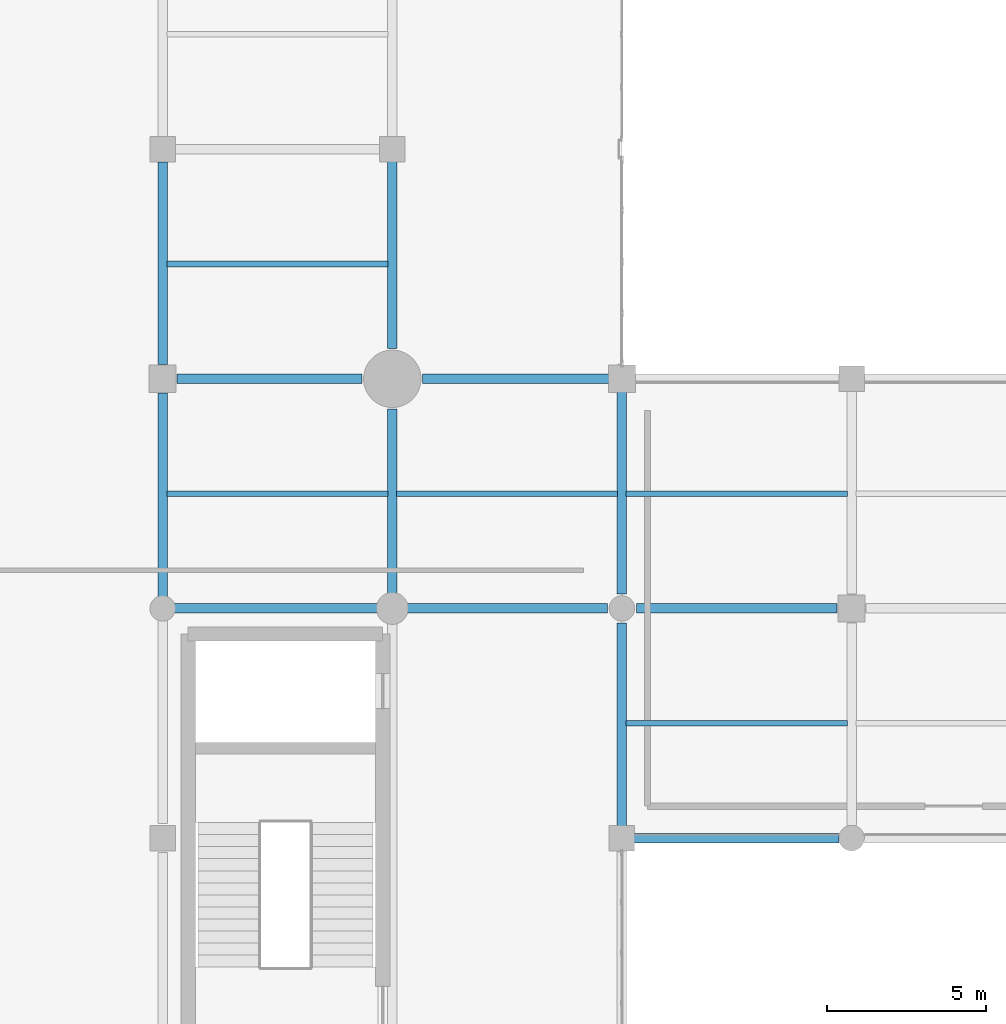
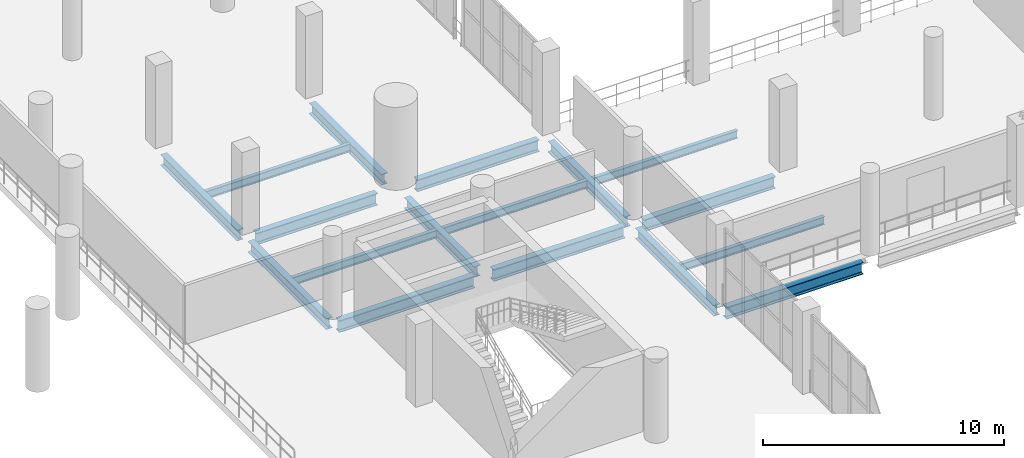
# One storey, part 39 of 153: 17 beams.
"""IFC4 building model written with IfcOpenShell, lengths in metres."""

from ifc_helpers import new_model, si_unit, direction, frame, origin, origin_2d, place, context, subcontext, project, spatial, i_section, extrude, material, material_profile, profile_set, type_object, element, save


model = new_model("IFC4")

# Units and contexts
model_context = context("Model", 3, precision=1e-05, world=origin(), true_north=direction((0.0, 1.0)))
body_context = subcontext(model_context, "Body", "Model", "MODEL_VIEW")
ifc_project = project(units=[si_unit("LENGTHUNIT", "METRE"), si_unit("AREAUNIT", "SQUARE_METRE"), si_unit("VOLUMEUNIT", "CUBIC_METRE"), si_unit("PLANEANGLEUNIT", "RADIAN"), si_unit("MASSUNIT", "GRAM", prefix="KILO")], contexts=[model_context])

# Site, building, storey
site_placement = place(None, origin())
site = spatial("IfcSite", under=ifc_project, at=site_placement, CompositionType="ELEMENT")
building_placement = place(site_placement, origin())
building = spatial("IfcBuilding", under=site, at=building_placement, Name="Qandorah Velis Arena", CompositionType="ELEMENT")
storey_placement = place(building_placement, frame((0.0, 0.0, 5.39990234375)))
storey = spatial("IfcBuildingStorey", under=building, at=storey_placement, Name="L01", CompositionType="ELEMENT", Elevation=5.39990234375)

# Beams
ifc_material = material(Name="Steel S355", Category="steel")
ifc_material_profile_1 = material_profile(ifc_material, i_section(OverallWidth=0.300048828125, OverallDepth=0.550048828125, WebThickness=0.014892578125, FlangeThickness=0.029052734375, FilletRadius=0.027099609375, at=origin_2d()), Name="HEB 550")
ifc_profile_set_1 = profile_set([ifc_material_profile_1], Name="Steel S355")
beam_type_1 = type_object("IfcBeamType", Name="STR-BM-HEB550", PredefinedType="BEAM", material=ifc_profile_set_1)
beam_1_placement = place(storey_placement, frame((108.0, 50.64990234375, -0.635009765625), z_axis=(0.0, 1.0, 0.0), x_axis=(-1.0, 0.0, 0.0)))
element("IfcBeam", 1, at=beam_1_placement, inside=storey, type_object=beam_type_1, Name="Primary floor girder L01 Y-366", PredefinedType="BEAM", context=body_context, shape_type="SweptSolid", body=[
    extrude(i_section(OverallWidth=0.300048828125, OverallDepth=0.550048828125, WebThickness=0.014892578125, FlangeThickness=0.029052734375, FilletRadius=0.027099609375, at=origin_2d()), origin(), (0.0, 0.0, 1.0), 6.5),
])
beam_2_placement = place(storey_placement, frame((108.0, 58.050048828125, -0.635009765625), z_axis=(0.0, 1.0, 0.0), x_axis=(-1.0, 0.0, 0.0)))
element("IfcBeam", 2, at=beam_2_placement, inside=storey, type_object=beam_type_1, Name="Primary floor girder L01 Y-367", PredefinedType="BEAM", context=body_context, shape_type="SweptSolid", body=[
    extrude(i_section(OverallWidth=0.300048828125, OverallDepth=0.550048828125, WebThickness=0.014892578125, FlangeThickness=0.029052734375, FilletRadius=0.027099609375, at=origin_2d()), origin(), (0.0, 0.0, 1.0), 6.349853515625),
])
beam_3_placement = place(storey_placement, frame((115.199951171875, 50.85009765625, -0.635009765625), z_axis=(0.0, 1.0, 0.0), x_axis=(-1.0, 0.0, 0.0)))
element("IfcBeam", 3, at=beam_3_placement, inside=storey, type_object=beam_type_1, Name="Primary floor girder L01 Y-383", PredefinedType="BEAM", context=body_context, shape_type="SweptSolid", body=[
    extrude(i_section(OverallWidth=0.300048828125, OverallDepth=0.550048828125, WebThickness=0.014892578125, FlangeThickness=0.029052734375, FilletRadius=0.027099609375, at=origin_2d()), origin(), (0.0, 0.0, 1.0), 5.7998046875),
])
beam_4_placement = place(storey_placement, frame((115.199951171875, 58.550048828125, -0.635009765625), z_axis=(0.0, 1.0, 0.0), x_axis=(-1.0, 0.0, 0.0)))
element("IfcBeam", 4, at=beam_4_placement, inside=storey, type_object=beam_type_1, Name="Primary floor girder L01 Y-384", PredefinedType="BEAM", context=body_context, shape_type="SweptSolid", body=[
    extrude(i_section(OverallWidth=0.300048828125, OverallDepth=0.550048828125, WebThickness=0.014892578125, FlangeThickness=0.029052734375, FilletRadius=0.027099609375, at=origin_2d()), origin(), (0.0, 0.0, 1.0), 6.0),
])
beam_5_placement = place(storey_placement, frame((122.39990234375, 43.449951171875, -0.635009765625), z_axis=(0.0, 1.0, 0.0), x_axis=(-1.0, 0.0, 0.0)))
element("IfcBeam", 5, at=beam_5_placement, inside=storey, type_object=beam_type_1, Name="Primary floor girder L01 Y-396", PredefinedType="BEAM", context=body_context, shape_type="SweptSolid", body=[
    extrude(i_section(OverallWidth=0.300048828125, OverallDepth=0.550048828125, WebThickness=0.014892578125, FlangeThickness=0.029052734375, FilletRadius=0.027099609375, at=origin_2d()), origin(), (0.0, 0.0, 1.0), 6.5),
])
beam_6_placement = place(storey_placement, frame((122.39990234375, 50.85009765625, -0.635009765625), z_axis=(0.0, 1.0, 0.0), x_axis=(-1.0, 0.0, 0.0)))
element("IfcBeam", 6, at=beam_6_placement, inside=storey, type_object=beam_type_1, Name="Primary floor girder L01 Y-397", PredefinedType="BEAM", context=body_context, shape_type="SweptSolid", body=[
    extrude(i_section(OverallWidth=0.300048828125, OverallDepth=0.550048828125, WebThickness=0.014892578125, FlangeThickness=0.029052734375, FilletRadius=0.027099609375, at=origin_2d()), origin(), (0.0, 0.0, 1.0), 6.349853515625),
])
ifc_material_profile_2 = material_profile(ifc_material, i_section(OverallWidth=0.300048828125, OverallDepth=0.60009765625, WebThickness=0.015380859375, FlangeThickness=0.030029296875, FilletRadius=0.027099609375, at=origin_2d()), Name="HEB 600")
ifc_profile_set_2 = profile_set([ifc_material_profile_2], Name="Steel S355")
beam_type_2 = type_object("IfcBeamType", Name="STR-BM-HEB600", PredefinedType="BEAM", material=ifc_profile_set_2)
beam_7_placement = place(storey_placement, frame((122.64990234375, 43.199951171875, -0.659912109375), z_axis=(1.0, 0.0, 0.0), x_axis=(0.0, 1.0, 0.0)))
element("IfcBeam", 7, at=beam_7_placement, inside=storey, type_object=beam_type_2, Name="Primary floor girder L01 X-081", PredefinedType="BEAM", context=body_context, shape_type="SweptSolid", body=[
    extrude(i_section(OverallWidth=0.300048828125, OverallDepth=0.60009765625, WebThickness=0.015380859375, FlangeThickness=0.030029296875, FilletRadius=0.027099609375, at=origin_2d()), origin(), (0.0, 0.0, 1.0), 6.550048828125),
])
beam_8_placement = place(storey_placement, frame((108.25, 50.39990234375, -0.659912109375), z_axis=(1.0, 0.0, 0.0), x_axis=(0.0, 1.0, 0.0)))
element("IfcBeam", 8, at=beam_8_placement, inside=storey, type_object=beam_type_2, Name="Primary floor girder L01 X-091", PredefinedType="BEAM", context=body_context, shape_type="SweptSolid", body=[
    extrude(i_section(OverallWidth=0.300048828125, OverallDepth=0.60009765625, WebThickness=0.015380859375, FlangeThickness=0.030029296875, FilletRadius=0.027099609375, at=origin_2d()), origin(), (0.0, 0.0, 1.0), 6.5),
])
beam_9_placement = place(storey_placement, frame((115.64990234375, 50.39990234375, -0.659912109375), z_axis=(1.0, 0.0, 0.0), x_axis=(0.0, 1.0, 0.0)))
element("IfcBeam", 9, at=beam_9_placement, inside=storey, type_object=beam_type_2, Name="Primary floor girder L01 X-092", PredefinedType="BEAM", context=body_context, shape_type="SweptSolid", body=[
    extrude(i_section(OverallWidth=0.300048828125, OverallDepth=0.60009765625, WebThickness=0.015380859375, FlangeThickness=0.030029296875, FilletRadius=0.027099609375, at=origin_2d()), origin(), (0.0, 0.0, 1.0), 6.300048828125),
])
beam_10_placement = place(storey_placement, frame((122.85009765625, 50.39990234375, -0.659912109375), z_axis=(1.0, 0.0, 0.0), x_axis=(0.0, 1.0, 0.0)))
element("IfcBeam", 10, at=beam_10_placement, inside=storey, type_object=beam_type_2, Name="Primary floor girder L01 X-093", PredefinedType="BEAM", context=body_context, shape_type="SweptSolid", body=[
    extrude(i_section(OverallWidth=0.300048828125, OverallDepth=0.60009765625, WebThickness=0.015380859375, FlangeThickness=0.030029296875, FilletRadius=0.027099609375, at=origin_2d()), origin(), (0.0, 0.0, 1.0), 6.2998046875),
])
beam_11_placement = place(storey_placement, frame((108.449951171875, 57.60009765625, -0.659912109375), z_axis=(1.0, 0.0, 0.0), x_axis=(0.0, 1.0, 0.0)))
element("IfcBeam", 11, at=beam_11_placement, inside=storey, type_object=beam_type_2, Name="Primary floor girder L01 X-100", PredefinedType="BEAM", context=body_context, shape_type="SweptSolid", body=[
    extrude(i_section(OverallWidth=0.300048828125, OverallDepth=0.60009765625, WebThickness=0.015380859375, FlangeThickness=0.030029296875, FilletRadius=0.027099609375, at=origin_2d()), origin(), (0.0, 0.0, 1.0), 5.800048828125),
])
beam_12_placement = place(storey_placement, frame((116.14990234375, 57.60009765625, -0.659912109375), z_axis=(1.0, 0.0, 0.0), x_axis=(0.0, 1.0, 0.0)))
element("IfcBeam", 12, at=beam_12_placement, inside=storey, type_object=beam_type_2, Name="Primary floor girder L01 X-101", PredefinedType="BEAM", context=body_context, shape_type="SweptSolid", body=[
    extrude(i_section(OverallWidth=0.300048828125, OverallDepth=0.60009765625, WebThickness=0.015380859375, FlangeThickness=0.030029296875, FilletRadius=0.027099609375, at=origin_2d()), origin(), (0.0, 0.0, 1.0), 5.85009765625),
])
ifc_material_profile_3 = material_profile(ifc_material, i_section(OverallWidth=0.179931640625, OverallDepth=0.39990234375, WebThickness=0.008544921875, FlangeThickness=0.013427734375, FilletRadius=0.02099609375, at=origin_2d()), Name="IPE 400")
ifc_profile_set_3 = profile_set([ifc_material_profile_3], Name="Steel S355")
beam_type_3 = type_object("IfcBeamType", Name="STR-JST-IPE400", PredefinedType="JOIST", material=ifc_profile_set_3)
for number, where, z_axis, x_axis, name in (
    (13, (108.135009765625, 54.0, -0.559814453125), (1.0, 0.0, 0.0), (0.0, 1.0, 0.0), "Secondary floor joist L01-122"),
    (14, (108.135009765625, 61.199951171875, -0.559814453125), (1.0, 0.0, 0.0), (0.0, 1.0, 0.0), "Secondary floor joist L01-123"),
    (15, (115.3349609375, 54.0, -0.559814453125), (1.0, 0.0, 0.0), (0.0, 1.0, 0.0), "Secondary floor joist L01-134"),
):
    element("IfcBeam", number, at=place(storey_placement, frame(where, z_axis=z_axis, x_axis=x_axis)), inside=storey, type_object=beam_type_3, Name=name, PredefinedType="JOIST", context=body_context, shape_type="SweptSolid", body=[
        extrude(i_section(OverallWidth=0.179931640625, OverallDepth=0.39990234375, WebThickness=0.008544921875, FlangeThickness=0.013427734375, FilletRadius=0.02099609375, at=origin_2d()), origin(), (0.0, 0.0, 1.0), 6.929931640625),
    ])
for number, where, z_axis, x_axis, name in (
    (16, (122.534912109375, 46.800048828125, -0.559814453125), (1.0, 0.0, 0.0), (0.0, 1.0, 0.0), "Secondary floor joist L01-138"),
    (17, (122.534912109375, 54.0, -0.559814453125), (1.0, 0.0, 0.0), (0.0, 1.0, 0.0), "Secondary floor joist L01-139"),
):
    element("IfcBeam", number, at=place(storey_placement, frame(where, z_axis=z_axis, x_axis=x_axis)), inside=storey, type_object=beam_type_3, Name=name, PredefinedType="JOIST", context=body_context, shape_type="SweptSolid", body=[
        extrude(i_section(OverallWidth=0.179931640625, OverallDepth=0.39990234375, WebThickness=0.008544921875, FlangeThickness=0.013427734375, FilletRadius=0.02099609375, at=origin_2d()), origin(), (0.0, 0.0, 1.0), 6.93017578125),
    ])

save(model, "model.ifc")
